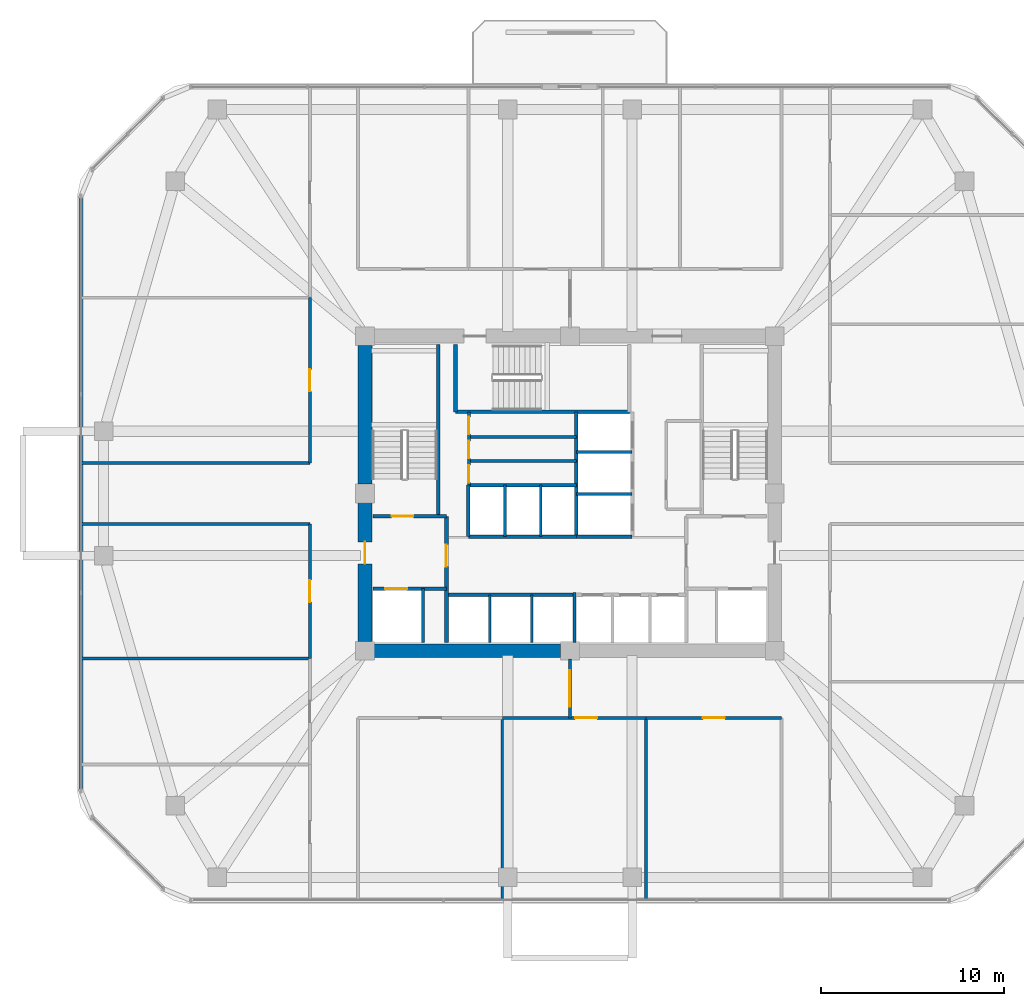
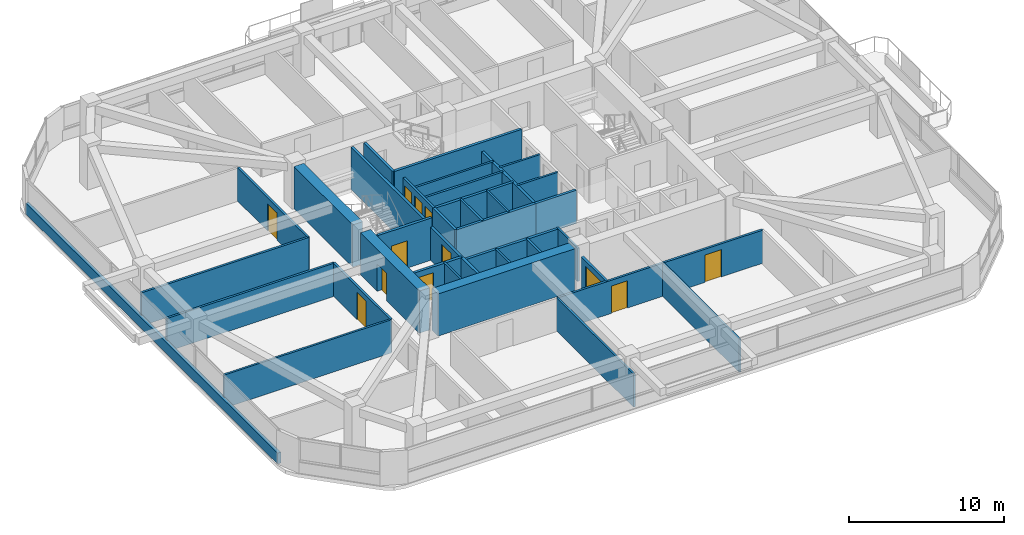
# One storey, part 9 of 14: 37 walls, 12 doors, 12 openings.
"""IFC4 building model written with IfcOpenShell, lengths in metres."""

from ifc_helpers import new_model, si_unit, derived_unit, direction, frame, frame_2d, origin, place, context, subcontext, project, spatial, rectangle, extrude, material, layer, layer_set, type_object, element, fill, save


model = new_model("IFC4")

# Units and contexts
model_context = context("Model", 3, precision=1e-05, world=origin(), true_north=direction((0.0, 1.0)))
body_context = subcontext(model_context, "Body", "Model", "MODEL_VIEW")
ifc_project = project(units=[si_unit("LENGTHUNIT", "METRE"), si_unit("AREAUNIT", "SQUARE_METRE"), si_unit("VOLUMEUNIT", "CUBIC_METRE"), si_unit("PLANEANGLEUNIT", "RADIAN"), si_unit("MASSUNIT", "GRAM", prefix="KILO"), derived_unit("THERMALTRANSMITTANCEUNIT", [(si_unit("POWERUNIT", "WATT"), 1), (si_unit("LENGTHUNIT", "METRE"), -2), (si_unit("THERMODYNAMICTEMPERATUREUNIT", "KELVIN"), -1)])], contexts=[model_context])

# Site, building, storey
site_placement = place(None, origin())
site = spatial("IfcSite", under=ifc_project, at=site_placement, CompositionType="ELEMENT")
building_placement = place(site_placement, origin())
building = spatial("IfcBuilding", under=site, at=building_placement, Name="Koralith Skygarden Medical Center", CompositionType="ELEMENT")
storey_placement = place(building_placement, frame((0.0, 0.0, 81.179931640625)))
storey = spatial("IfcBuildingStorey", under=building, at=storey_placement, Name="L20", CompositionType="ELEMENT", Elevation=81.179931640625)

# Walls
ifc_material_1 = material(Name="Gypsum Board Partition")
ifc_layer_1 = layer(ifc_material_1, 0.14990234375)
ifc_layer_set_1 = layer_set([ifc_layer_1], Name="Gypsum Board Partition")
wall_type_1 = type_object("IfcWallType", Name="Clinical Acoustic Partition 150", PredefinedType="PARTITIONING", material=ifc_layer_set_1)
wall_1_placement = place(storey_placement, frame((31.47998046875, 28.97998046875, 0.0), z_axis=(0.0, 0.0, 1.0), x_axis=(1.0, 0.0, 0.0)))
element("IfcWall", 1, at=wall_1_placement, inside=storey, type_object=wall_type_1, Name="L20 Clinical Acoustic Partition 150 W-CORE-L20-FLEX-H1B", PredefinedType="PARTITIONING", context=body_context, shape_type="SweptSolid", body=[
    extrude(rectangle(XDim=5.89013671875, YDim=0.14990234375, at=frame_2d((2.945068359375, 0.0))), origin(), (0.0, 0.0, 1.0), 2.610107421875),
])
for number, where, z_axis, x_axis, name in (
    (2, (33.301025390625, 13.639892578125, 0.0), (0.0, 0.0, 1.0), (0.0, -1.0, 0.0), "L20 Clinical Acoustic Partition 150 W-PART-L20-S-01"),
    (3, (41.162109375, 13.639892578125, 0.0), (0.0, 0.0, 1.0), (0.0, -1.0, 0.0), "L20 Clinical Acoustic Partition 150 W-PART-L20-S-02"),
):
    element("IfcWall", number, at=place(storey_placement, frame(where, z_axis=z_axis, x_axis=x_axis)), inside=storey, type_object=wall_type_1, Name=name, PredefinedType="PARTITIONING", context=body_context, shape_type="SweptSolid", body=[
        extrude(rectangle(XDim=9.93994140625, YDim=0.14990234375, at=frame_2d((4.969970703125, 0.0))), origin(), (0.0, 0.0, 1.0), 2.610107421875),
    ])
wall_2_placement = place(storey_placement, frame((22.7900390625, 16.8779296875, 0.0), z_axis=(0.0, 0.0, 1.0), x_axis=(-1.0, 0.0, 0.0)))
element("IfcWall", 4, at=wall_2_placement, inside=storey, type_object=wall_type_1, Name="L20 Clinical Acoustic Partition 150 W-PART-L20-WS-02", PredefinedType="PARTITIONING", context=body_context, shape_type="SweptSolid", body=[
    extrude(rectangle(XDim=12.489990234375, YDim=0.14990234375, at=frame_2d((6.2451171875, 0.0))), origin(), (0.0, 0.0, 1.0), 2.610107421875),
])
ifc_layer_2 = layer(ifc_material_1, 0.1650390625)
ifc_layer_set_2 = layer_set([ifc_layer_2], Name="Gypsum Board Partition")
wall_type_2 = type_object("IfcWallType", Name="Clinical Corridor Partition 165", PredefinedType="PARTITIONING", material=ifc_layer_set_2)
for number, where, z_axis, x_axis, name in (
    (5, (10.300048828125, 24.239990234375, 0.0), (0.0, 0.0, 1.0), (1.0, 0.0, 0.0), "L20 Clinical Corridor Partition 165 W-HCOR-L20-EWS-W"),
    (6, (10.300048828125, 27.56005859375, 0.0), (0.0, 0.0, 1.0), (1.0, 0.0, 0.0), "L20 Clinical Corridor Partition 165 W-HCOR-L20-EWN-W"),
):
    element("IfcWall", number, at=place(storey_placement, frame(where, z_axis=z_axis, x_axis=x_axis)), inside=storey, type_object=wall_type_2, Name=name, PredefinedType="PARTITIONING", context=body_context, shape_type="SweptSolid", body=[
        extrude(rectangle(XDim=12.489990234375, YDim=0.1650390625, at=frame_2d((6.2451171875, 0.0))), origin(), (0.0, 0.0, 1.0), 2.610107421875),
    ])

# Wall, opening, door
wall_3_placement = place(storey_placement, frame((33.301025390625, 13.639892578125, 0.0), z_axis=(0.0, 0.0, 1.0), x_axis=(1.0, 0.0, 0.0)))
wall_3 = element("IfcWall", 7, at=wall_3_placement, inside=storey, type_object=wall_type_2, Name="L20 Clinical Corridor Partition 165 W-CORR-L20-S-02", PredefinedType="PARTITIONING", context=body_context, shape_type="SweptSolid", body=[
    extrude(rectangle(XDim=7.861083984375, YDim=0.1650390625, at=frame_2d((3.9306640625, 0.0))), origin(), (0.0, 0.0, 1.0), 2.610107421875),
])
opening_1_placement = place(wall_3_placement, frame((3.98095703125, 0.0, 0.0)))
opening_1 = element("IfcOpeningElement", 8, at=opening_1_placement, cuts=wall_3, Name="Opening D-CLN", PredefinedType="OPENING", context=body_context, shape_type="SweptSolid", body=[
    extrude(rectangle(XDim=1.199951171875, YDim=2.14990234375, at=frame_2d((0.60009765625, 1.074951171875))), frame((0.0, 0.092529296875, 0.0), z_axis=(0.0, -1.0, 0.0), x_axis=(1.0, 0.0, 0.0)), (0.0, 0.0, 1.0), 0.18505859375),
])
ifc_material_2 = material(Name="Aluminium 6063-T6", Category="aluminium")
door_type_1 = type_object("IfcDoorType", Name="Clinical Corridor Door D-CLN 1200", OperationType="NOTDEFINED", PredefinedType="DOOR", material=ifc_material_2)
door_1_placement = place(opening_1_placement, frame((1.199951171875, 0.0, 0.0), z_axis=(0.0, 0.0, 1.0), x_axis=(-1.0, 0.0, 0.0)))
door_1 = element("IfcDoor", 9, at=door_1_placement, inside=storey, type_object=door_type_1, Name="L20 Physician Consultation Office 06 Door", OperationType="SINGLE_SWING_LEFT", OverallHeight=2.14990234375, OverallWidth=1.199951171875, PredefinedType="DOOR", context=body_context, shape_type="SweptSolid", body=[
    extrude(rectangle(XDim=1.199951171875, YDim=2.14990234375, at=frame_2d((0.60009765625, 1.074951171875))), frame((0.0, 0.02490234375, 0.0), z_axis=(0.0, -1.0, 0.0), x_axis=(1.0, 0.0, 0.0)), (0.0, 0.0, 1.0), 0.050048828125),
])
fill(opening_1, door_1)

wall_4_placement = place(storey_placement, frame((41.162109375, 13.639892578125, 0.0), z_axis=(0.0, 0.0, 1.0), x_axis=(1.0, 0.0, 0.0)))
wall_4 = element("IfcWall", 10, at=wall_4_placement, inside=storey, type_object=wall_type_2, Name="L20 Clinical Corridor Partition 165 W-CORR-L20-S-03", PredefinedType="PARTITIONING", context=body_context, shape_type="SweptSolid", body=[
    extrude(rectangle(XDim=7.407958984375, YDim=0.1650390625, at=frame_2d((3.7041015625, 0.0))), origin(), (0.0, 0.0, 1.0), 2.610107421875),
])
opening_2_placement = place(wall_4_placement, frame((3.10400390625, 0.0, 0.0)))
opening_2 = element("IfcOpeningElement", 11, at=opening_2_placement, cuts=wall_4, Name="Opening D-CLN", PredefinedType="OPENING", context=body_context, shape_type="SweptSolid", body=[
    extrude(rectangle(XDim=1.199951171875, YDim=2.14990234375, at=frame_2d((0.60009765625, 1.074951171875))), frame((0.0, 0.092529296875, 0.0), z_axis=(0.0, -1.0, 0.0), x_axis=(1.0, 0.0, 0.0)), (0.0, 0.0, 1.0), 0.18505859375),
])
door_2_placement = place(opening_2_placement, frame((1.199951171875, 0.0, 0.0), z_axis=(0.0, 0.0, 1.0), x_axis=(-1.0, 0.0, 0.0)))
door_2 = element("IfcDoor", 12, at=door_2_placement, inside=storey, type_object=door_type_1, Name="L20 Clinical Case Conference Room 07 Door", OperationType="SINGLE_SWING_RIGHT", OverallHeight=2.14990234375, OverallWidth=1.199951171875, PredefinedType="DOOR", context=body_context, shape_type="SweptSolid", body=[
    extrude(rectangle(XDim=1.199951171875, YDim=2.14990234375, at=frame_2d((0.60009765625, 1.074951171875))), frame((0.0, 0.02490234375, 0.0), z_axis=(0.0, -1.0, 0.0), x_axis=(1.0, 0.0, 0.0)), (0.0, 0.0, 1.0), 0.050048828125),
])
fill(opening_2, door_2)

wall_5_placement = place(storey_placement, frame((22.7900390625, 16.8779296875, 0.0), z_axis=(0.0, 0.0, 1.0), x_axis=(0.0, 1.0, 0.0)))
wall_5 = element("IfcWall", 13, at=wall_5_placement, inside=storey, type_object=wall_type_2, Name="L20 Clinical Corridor Partition 165 W-CORR-L20-WS-03", PredefinedType="PARTITIONING", context=body_context, shape_type="SweptSolid", body=[
    extrude(rectangle(XDim=7.362060546875, YDim=0.1650390625, at=frame_2d((3.68115234375, 0.0))), origin(), (0.0, 0.0, 1.0), 2.610107421875),
])
opening_3_placement = place(wall_5_placement, frame((3.0810546875, 0.0, 0.0)))
opening_3 = element("IfcOpeningElement", 14, at=opening_3_placement, cuts=wall_5, Name="Opening D-CLN", PredefinedType="OPENING", context=body_context, shape_type="SweptSolid", body=[
    extrude(rectangle(XDim=1.199951171875, YDim=2.14990234375, at=frame_2d((0.60009765625, 1.074951171875))), frame((0.0, 0.092529296875, 0.0), z_axis=(0.0, -1.0, 0.0), x_axis=(1.0, 0.0, 0.0)), (0.0, 0.0, 1.0), 0.18505859375),
])
door_3_placement = place(opening_3_placement, frame((1.199951171875, 0.0, 0.0), z_axis=(0.0, 0.0, 1.0), x_axis=(-1.0, 0.0, 0.0)))
door_3 = element("IfcDoor", 15, at=door_3_placement, inside=storey, type_object=door_type_1, Name="L20 Physician Consultation Office 10 Door", OperationType="SINGLE_SWING_LEFT", OverallHeight=2.14990234375, OverallWidth=1.199951171875, PredefinedType="DOOR", context=body_context, shape_type="SweptSolid", body=[
    extrude(rectangle(XDim=1.199951171875, YDim=2.14990234375, at=frame_2d((0.60009765625, 1.074951171875))), frame((0.0, 0.02490234375, 0.0), z_axis=(0.0, -1.0, 0.0), x_axis=(1.0, 0.0, 0.0)), (0.0, 0.0, 1.0), 0.050048828125),
])
fill(opening_3, door_3)

wall_6_placement = place(storey_placement, frame((22.7900390625, 27.56005859375, 0.0), z_axis=(0.0, 0.0, 1.0), x_axis=(0.0, 1.0, 0.0)))
wall_6 = element("IfcWall", 16, at=wall_6_placement, inside=storey, type_object=wall_type_2, Name="L20 Clinical Corridor Partition 165 W-CORR-L20-WN-01", PredefinedType="PARTITIONING", context=body_context, shape_type="SweptSolid", body=[
    extrude(rectangle(XDim=9.037841796875, YDim=0.1650390625, at=frame_2d((4.51904296875, 0.0))), origin(), (0.0, 0.0, 1.0), 2.610107421875),
])
opening_4_placement = place(wall_6_placement, frame((3.9189453125, 0.0, 0.0)))
opening_4 = element("IfcOpeningElement", 17, at=opening_4_placement, cuts=wall_6, Name="Opening D-CLN", PredefinedType="OPENING", context=body_context, shape_type="SweptSolid", body=[
    extrude(rectangle(XDim=1.199951171875, YDim=2.14990234375, at=frame_2d((0.60009765625, 1.074951171875))), frame((0.0, 0.092529296875, 0.0), z_axis=(0.0, -1.0, 0.0), x_axis=(1.0, 0.0, 0.0)), (0.0, 0.0, 1.0), 0.18505859375),
])
door_4_placement = place(opening_4_placement, frame((1.199951171875, 0.0, 0.0), z_axis=(0.0, 0.0, 1.0), x_axis=(-1.0, 0.0, 0.0)))
door_4 = element("IfcDoor", 18, at=door_4_placement, inside=storey, type_object=door_type_1, Name="L20 Clinical Case Conference Room 11 Door", OperationType="SINGLE_SWING_RIGHT", OverallHeight=2.14990234375, OverallWidth=1.199951171875, PredefinedType="DOOR", context=body_context, shape_type="SweptSolid", body=[
    extrude(rectangle(XDim=1.199951171875, YDim=2.14990234375, at=frame_2d((0.60009765625, 1.074951171875))), frame((0.0, 0.02490234375, 0.0), z_axis=(0.0, -1.0, 0.0), x_axis=(1.0, 0.0, 0.0)), (0.0, 0.0, 1.0), 0.050048828125),
])
fill(opening_4, door_4)

ifc_layer_3 = layer(ifc_material_1, 0.199951171875)
ifc_layer_set_3 = layer_set([ifc_layer_3], Name="Gypsum Board Partition")
wall_type_3 = type_object("IfcWallType", Name="Fire Shaft Wall 200", PredefinedType="SOLIDWALL", material=ifc_layer_set_3)
wall_7_placement = place(storey_placement, frame((26.25, 20.699951171875, 0.0), z_axis=(0.0, 0.0, 1.0), x_axis=(1.0, 0.0, 0.0)))
wall_7 = element("IfcWall", 19, at=wall_7_placement, inside=storey, type_object=wall_type_3, Name="L20 Fire Shaft Wall 200 W-CORE-L20-FF1-N", PredefinedType="SOLIDWALL", context=body_context, shape_type="SweptSolid", body=[
    extrude(rectangle(XDim=4.0, YDim=0.199951171875, at=frame_2d((2.0, 0.0))), origin(), (0.0, 0.0, 1.0), 2.610107421875),
])
opening_5_placement = place(wall_7_placement, frame((0.64990234375, 0.0, 0.0)))
opening_5 = element("IfcOpeningElement", 20, at=opening_5_placement, cuts=wall_7, Name="Opening LD-FF", PredefinedType="OPENING", context=body_context, shape_type="SweptSolid", body=[
    extrude(rectangle(XDim=1.199951171875, YDim=2.14990234375, at=frame_2d((0.60009765625, 1.074951171875))), frame((0.0, 0.10986328125, 0.0), z_axis=(0.0, -1.0, 0.0), x_axis=(1.0, 0.0, 0.0)), (0.0, 0.0, 1.0), 0.219970703125),
])
ifc_material_3 = material(Name="Steel ASTM A500 Grade C", Category="steel")
door_type_2 = type_object("IfcDoorType", Name="Fire Lift Sliding Landing Door LD-FF 1200", OperationType="NOTDEFINED", PredefinedType="DOOR", material=ifc_material_3)
door_5_placement = place(opening_5_placement, origin())
door_5 = element("IfcDoor", 21, at=door_5_placement, inside=storey, type_object=door_type_2, Name="L20 Fire Service Elevator FF1 Landing Door", OperationType="SLIDING_TO_LEFT", OverallHeight=2.14990234375, OverallWidth=1.199951171875, PredefinedType="DOOR", context=body_context, shape_type="SweptSolid", body=[
    extrude(rectangle(XDim=1.199951171875, YDim=2.14990234375, at=frame_2d((0.60009765625, 1.074951171875))), frame((0.0, 0.02490234375, 0.0), z_axis=(0.0, -1.0, 0.0), x_axis=(1.0, 0.0, 0.0)), (0.0, 0.0, 1.0), 0.050048828125),
])
fill(opening_5, door_5)

wall_8_placement = place(storey_placement, frame((30.25, 17.75, 0.0), z_axis=(0.0, 0.0, 1.0), x_axis=(0.0, 1.0, 0.0)))
wall_8 = element("IfcWall", 22, at=wall_8_placement, inside=storey, type_object=wall_type_3, Name="L20 Fire Shaft Wall 200 W-CORE-L20-FSAEW-E", PredefinedType="SOLIDWALL", context=body_context, shape_type="SweptSolid", body=[
    extrude(rectangle(XDim=6.89990234375, YDim=0.199951171875, at=frame_2d((3.449951171875, 0.0))), origin(), (0.0, 0.0, 1.0), 2.610107421875),
])
opening_6_placement = place(wall_8_placement, frame((4.14990234375, 0.0, 0.0)))
opening_6 = element("IfcOpeningElement", 23, at=opening_6_placement, cuts=wall_8, Name="Opening D-ST60", PredefinedType="OPENING", context=body_context, shape_type="SweptSolid", body=[
    extrude(rectangle(XDim=1.199951171875, YDim=2.14990234375, at=frame_2d((0.60009765625, 1.074951171875))), frame((0.0, 0.10986328125, 0.0), z_axis=(0.0, -1.0, 0.0), x_axis=(1.0, 0.0, 0.0)), (0.0, 0.0, 1.0), 0.219970703125),
])
door_type_3 = type_object("IfcDoorType", Name="Smokeproof Stair Fire Door FD60S 1200", OperationType="NOTDEFINED", PredefinedType="DOOR", material=ifc_material_3)
door_6_placement = place(opening_6_placement, origin())
door_6 = element("IfcDoor", 24, at=door_6_placement, inside=storey, type_object=door_type_3, Name="L20 West Firefighting Lobby Inner Fire Door", OperationType="SINGLE_SWING_LEFT", OverallHeight=2.14990234375, OverallWidth=1.199951171875, PredefinedType="DOOR", context=body_context, shape_type="SweptSolid", body=[
    extrude(rectangle(XDim=1.199951171875, YDim=2.14990234375, at=frame_2d((0.60009765625, 1.074951171875))), frame((0.0, 0.02490234375, 0.0), z_axis=(0.0, -1.0, 0.0), x_axis=(1.0, 0.0, 0.0)), (0.0, 0.0, 1.0), 0.050048828125),
])
fill(opening_6, door_6)

# Walls
wall_9_placement = place(storey_placement, frame((30.25, 20.360107421875, 0.0), z_axis=(0.0, 0.0, 1.0), x_axis=(1.0, 0.0, 0.0)))
element("IfcWall", 25, at=wall_9_placement, inside=storey, type_object=wall_type_3, Name="L20 Fire Shaft Wall 200 W-CORE-L20-PL-N", PredefinedType="SOLIDWALL", context=body_context, shape_type="SweptSolid", body=[
    extrude(rectangle(XDim=7.0, YDim=0.199951171875, at=frame_2d((3.5, 0.0))), origin(), (0.0, 0.0, 1.0), 2.610107421875),
])
for number, where, z_axis, x_axis, name in (
    (26, (31.449951171875, 23.5400390625, 0.0), (0.0, 0.0, 1.0), (1.0, 0.0, 0.0), "L20 Fire Shaft Wall 200 W-CORE-L20-PH-S"),
    (27, (31.449951171875, 26.35009765625, 0.0), (0.0, 0.0, 1.0), (1.0, 0.0, 0.0), "L20 Fire Shaft Wall 200 W-CORE-L20-PH-N"),
):
    element("IfcWall", number, at=place(storey_placement, frame(where, z_axis=z_axis, x_axis=x_axis)), inside=storey, type_object=wall_type_3, Name=name, PredefinedType="SOLIDWALL", context=body_context, shape_type="SweptSolid", body=[
        extrude(rectangle(XDim=5.900146484375, YDim=0.199951171875, at=frame_2d((2.9501953125, 0.0))), origin(), (0.0, 0.0, 1.0), 2.610107421875),
    ])
wall_10_placement = place(storey_placement, frame((31.449951171875, 23.5400390625, 0.0), z_axis=(0.0, 0.0, 1.0), x_axis=(0.0, 1.0, 0.0)))
element("IfcWall", 28, at=wall_10_placement, inside=storey, type_object=wall_type_3, Name="L20 Fire Shaft Wall 200 W-CORE-L20-PH-W", PredefinedType="SOLIDWALL", context=body_context, shape_type="SweptSolid", body=[
    extrude(rectangle(XDim=2.81005859375, YDim=0.199951171875, at=frame_2d((1.405029296875, 0.0))), origin(), (0.0, 0.0, 1.0), 2.610107421875),
])
wall_11_placement = place(storey_placement, frame((37.35009765625, 23.5400390625, 0.0), z_axis=(0.0, 0.0, 1.0), x_axis=(0.0, 1.0, 0.0)))
element("IfcWall", 29, at=wall_11_placement, inside=storey, type_object=wall_type_3, Name="L20 Fire Shaft Wall 200 W-CORE-L20-SV-W", PredefinedType="SOLIDWALL", context=body_context, shape_type="SweptSolid", body=[
    extrude(rectangle(XDim=6.820068359375, YDim=0.199951171875, at=frame_2d((3.41015625, 0.0))), origin(), (0.0, 0.0, 1.0), 2.610107421875),
])
wall_12_placement = place(storey_placement, frame((37.35009765625, 23.5400390625, 0.0), z_axis=(0.0, 0.0, 1.0), x_axis=(1.0, 0.0, 0.0)))
element("IfcWall", 30, at=wall_12_placement, inside=storey, type_object=wall_type_3, Name="L20 Fire Shaft Wall 200 W-CORE-L20-SV-S", PredefinedType="SOLIDWALL", context=body_context, shape_type="SweptSolid", body=[
    extrude(rectangle(XDim=3.0498046875, YDim=0.199951171875, at=frame_2d((1.52490234375, 0.0))), origin(), (0.0, 0.0, 1.0), 2.610107421875),
])

# Wall, opening, door
ifc_layer_4 = layer(ifc_material_1, 0.179931640625)
ifc_layer_set_4 = layer_set([ifc_layer_4], Name="Gypsum Board Partition")
wall_type_4 = type_object("IfcWallType", Name="Group I-2 Smoke Barrier Wall 180", PredefinedType="PARTITIONING", material=ifc_layer_set_4)
wall_13_placement = place(storey_placement, frame((37.0, 13.639892578125, 0.0), z_axis=(0.0, 0.0, 1.0), x_axis=(0.0, 1.0, 0.0)))
wall_13 = element("IfcWall", 31, at=wall_13_placement, inside=storey, type_object=wall_type_4, Name="L20 Group I-2 Smoke Barrier Wall 180 W-SMK-L20-S", PredefinedType="PARTITIONING", context=body_context, shape_type="SweptSolid", body=[
    extrude(rectangle(XDim=3.210205078125, YDim=0.179931640625, at=frame_2d((1.60498046875, 0.0))), origin(), (0.0, 0.0, 1.0), 2.610107421875),
])
opening_7_placement = place(wall_13_placement, frame((0.60498046875, 0.0, 0.0)))
opening_7 = element("IfcOpeningElement", 32, at=opening_7_placement, cuts=wall_13, Name="Opening D-SMK", PredefinedType="OPENING", context=body_context, shape_type="SweptSolid", body=[
    extrude(rectangle(XDim=2.0, YDim=2.199951171875, at=frame_2d((1.0, 1.10009765625))), frame((0.0, 0.099853515625, 0.0), z_axis=(0.0, -1.0, 0.0), x_axis=(1.0, 0.0, 0.0)), (0.0, 0.0, 1.0), 0.199951171875),
])
door_type_4 = type_object("IfcDoorType", Name="Cross-Corridor Double Smoke Door FD60S 2000", OperationType="NOTDEFINED", PredefinedType="DOOR", material=ifc_material_3)
door_7_placement = place(opening_7_placement, frame((2.0, 0.0, 0.0), z_axis=(0.0, 0.0, 1.0), x_axis=(-1.0, 0.0, 0.0)))
door_7 = element("IfcDoor", 33, at=door_7_placement, inside=storey, type_object=door_type_4, Name="L20 S Smoke Compartment Cross-Corridor Door", OperationType="DOUBLE_DOOR_SINGLE_SWING", OverallHeight=2.199951171875, OverallWidth=2.0, PredefinedType="DOOR", context=body_context, shape_type="SweptSolid", body=[
    extrude(rectangle(XDim=2.0, YDim=2.199951171875, at=frame_2d((1.0, 1.10009765625))), frame((0.0, 0.02490234375, 0.0), z_axis=(0.0, -1.0, 0.0), x_axis=(1.0, 0.0, 0.0)), (0.0, 0.0, 1.0), 0.050048828125),
])
fill(opening_7, door_7)

# Walls
ifc_material_4 = material(Name="Warm Oolitic Limestone Cladding", Category="masonry")
ifc_layer_5 = layer(ifc_material_4, 0.239990234375)
ifc_layer_set_5 = layer_set([ifc_layer_5], Name="Warm Oolitic Limestone Cladding")
wall_type_5 = type_object("IfcWallType", Name="Limestone Spandrel Sill Backup Wall 240", PredefinedType="SOLIDWALL", material=ifc_layer_set_5)
wall_14_placement = place(storey_placement, frame((10.280029296875, 42.14501953125, 0.0), z_axis=(0.0, 0.0, 1.0), x_axis=(0.0, -1.0, 0.0)))
element("IfcWall", 34, at=wall_14_placement, inside=storey, type_object=wall_type_5, Name="L20 Sill Spandrel W", PredefinedType="SOLIDWALL", context=body_context, shape_type="SweptSolid", body=[
    extrude(rectangle(XDim=32.489990234375, YDim=0.239990234375, at=frame_2d((16.2451171875, 0.0))), origin(), (0.0, 0.0, 1.0), 0.85009765625),
])
ifc_material_5 = material(Name="Concrete C70/85", Category="concrete")
ifc_layer_6 = layer(ifc_material_5, 0.75)
ifc_layer_set_6 = layer_set([ifc_layer_6], Name="Concrete C70/85")
wall_type_6 = type_object("IfcWallType", Name="Mid Core Shear Wall 750", PredefinedType="SHEAR", material=ifc_layer_set_6)
wall_15_placement = place(storey_placement, frame((26.304931640625, 17.300048828125, 0.0), z_axis=(0.0, 0.0, 1.0), x_axis=(1.0, 0.0, 0.0)))
element("IfcWall", 35, at=wall_15_placement, inside=storey, type_object=wall_type_6, Name="L20 Core Shear Wall Segment 1", PredefinedType="SHEAR", context=body_context, shape_type="SweptSolid", body=[
    extrude(rectangle(XDim=10.190185546875, YDim=0.75, at=frame_2d((5.09521484375, 0.0))), origin(), (0.0, 0.0, 1.0), 3.320068359375),
])
wall_16_placement = place(storey_placement, frame((25.800048828125, 33.9951171875, 0.0), z_axis=(0.0, 0.0, 1.0), x_axis=(0.0, -1.0, 0.0)))
element("IfcWall", 36, at=wall_16_placement, inside=storey, type_object=wall_type_6, Name="L20 Core Shear Wall Segment 7", PredefinedType="SHEAR", context=body_context, shape_type="SweptSolid", body=[
    extrude(rectangle(XDim=7.590087890625, YDim=0.75, at=frame_2d((3.794921875, 0.0))), origin(), (0.0, 0.0, 1.0), 3.320068359375),
])

# Wall, opening, door
wall_17_placement = place(storey_placement, frame((25.800048828125, 25.39501953125, 0.0), z_axis=(0.0, 0.0, 1.0), x_axis=(0.0, -1.0, 0.0)))
wall_17 = element("IfcWall", 37, at=wall_17_placement, inside=storey, type_object=wall_type_6, Name="L20 Core Shear Wall Segment 8", PredefinedType="SHEAR", context=body_context, shape_type="SweptSolid", body=[
    extrude(rectangle(XDim=7.590087890625, YDim=0.75, at=frame_2d((3.794921875, 0.0))), origin(), (0.0, 0.0, 1.0), 3.320068359375),
])
opening_8_placement = place(wall_17_placement, frame((2.14501953125, 0.0, 0.0)))
opening_8 = element("IfcOpeningElement", 38, at=opening_8_placement, cuts=wall_17, Name="Opening D-ST60", PredefinedType="OPENING", context=body_context, shape_type="SweptSolid", body=[
    extrude(rectangle(XDim=1.199951171875, YDim=2.14990234375, at=frame_2d((0.60009765625, 1.074951171875))), frame((0.0, 0.385009765625, 0.0), z_axis=(0.0, -1.0, 0.0), x_axis=(1.0, 0.0, 0.0)), (0.0, 0.0, 1.0), 0.77001953125),
])
door_8_placement = place(opening_8_placement, frame((1.199951171875, 0.0, 0.0), z_axis=(0.0, 0.0, 1.0), x_axis=(-1.0, 0.0, 0.0)))
door_8 = element("IfcDoor", 39, at=door_8_placement, inside=storey, type_object=door_type_3, Name="L20 West Corridor to Firefighting Lobby Door", OperationType="SINGLE_SWING_LEFT", OverallHeight=2.14990234375, OverallWidth=1.199951171875, PredefinedType="DOOR", context=body_context, shape_type="SweptSolid", body=[
    extrude(rectangle(XDim=1.199951171875, YDim=2.14990234375, at=frame_2d((0.60009765625, 1.074951171875))), frame((0.0, 0.02490234375, 0.0), z_axis=(0.0, -1.0, 0.0), x_axis=(1.0, 0.0, 0.0)), (0.0, 0.0, 1.0), 0.050048828125),
])
fill(opening_8, door_8)

# Wall, openings, doors
ifc_layer_7 = layer(ifc_material_1, 0.1650390625)
ifc_layer_set_7 = layer_set([ifc_layer_7], Name="Gypsum Board Partition")
wall_type_7 = type_object("IfcWallType", Name="Plumbing Wet Wall 165", PredefinedType="PLUMBINGWALL", material=ifc_layer_set_7)
wall_18_placement = place(storey_placement, frame((31.47998046875, 26.320068359375, 0.0), z_axis=(0.0, 0.0, 1.0), x_axis=(0.0, 1.0, 0.0)))
wall_18 = element("IfcWall", 40, at=wall_18_placement, inside=storey, type_object=wall_type_7, Name="L20 Plumbing Wet Wall 165 W-CORE-L20-FLEX-W", PredefinedType="PLUMBINGWALL", context=body_context, shape_type="SweptSolid", body=[
    extrude(rectangle(XDim=4.0400390625, YDim=0.1650390625, at=frame_2d((2.02001953125, 0.0))), origin(), (0.0, 0.0, 1.0), 2.610107421875),
])
opening_9_placement = place(wall_18_placement, frame((0.179931640625, 0.0, 0.0)))
opening_9 = element("IfcOpeningElement", 41, at=opening_9_placement, cuts=wall_18, Name="Opening D-WC", PredefinedType="OPENING", context=body_context, shape_type="SweptSolid", body=[
    extrude(rectangle(XDim=0.949951171875, YDim=2.10009765625, at=frame_2d((0.47509765625, 1.050048828125))), frame((0.0, 0.092529296875, 0.0), z_axis=(0.0, -1.0, 0.0), x_axis=(1.0, 0.0, 0.0)), (0.0, 0.0, 1.0), 0.18505859375),
])
opening_10_placement = place(wall_18_placement, frame((1.5, 0.0, 0.0)))
opening_10 = element("IfcOpeningElement", 42, at=opening_10_placement, cuts=wall_18, Name="Opening D-WC", PredefinedType="OPENING", context=body_context, shape_type="SweptSolid", body=[
    extrude(rectangle(XDim=0.949951171875, YDim=2.10009765625, at=frame_2d((0.47509765625, 1.050048828125))), frame((0.0, 0.092529296875, 0.0), z_axis=(0.0, -1.0, 0.0), x_axis=(1.0, 0.0, 0.0)), (0.0, 0.0, 1.0), 0.18505859375),
])
opening_11_placement = place(wall_18_placement, frame((2.820068359375, 0.0, 0.0)))
opening_11 = element("IfcOpeningElement", 43, at=opening_11_placement, cuts=wall_18, Name="Opening D-WC", PredefinedType="OPENING", context=body_context, shape_type="SweptSolid", body=[
    extrude(rectangle(XDim=0.949951171875, YDim=2.10009765625, at=frame_2d((0.47509765625, 1.050048828125))), frame((0.0, 0.092529296875, 0.0), z_axis=(0.0, -1.0, 0.0), x_axis=(1.0, 0.0, 0.0)), (0.0, 0.0, 1.0), 0.18505859375),
])
door_type_5 = type_object("IfcDoorType", Name="Accessible Toilet Door D-WC 950", OperationType="NOTDEFINED", PredefinedType="DOOR", material=ifc_material_2)
door_9_placement = place(opening_9_placement, frame((0.949951171875, 0.0, 0.0), z_axis=(0.0, 0.0, 1.0), x_axis=(-1.0, 0.0, 0.0)))
door_9 = element("IfcDoor", 44, at=door_9_placement, inside=storey, type_object=door_type_5, Name="L20 Core Accessible WC Door", OperationType="SINGLE_SWING_LEFT", OverallHeight=2.10009765625, OverallWidth=0.949951171875, PredefinedType="DOOR", context=body_context, shape_type="SweptSolid", body=[
    extrude(rectangle(XDim=0.949951171875, YDim=2.10009765625, at=frame_2d((0.47509765625, 1.050048828125))), frame((0.0, 0.02490234375, 0.0), z_axis=(0.0, -1.0, 0.0), x_axis=(1.0, 0.0, 0.0)), (0.0, 0.0, 1.0), 0.050048828125),
])
fill(opening_9, door_9)
door_10_placement = place(opening_10_placement, frame((0.949951171875, 0.0, 0.0), z_axis=(0.0, 0.0, 1.0), x_axis=(-1.0, 0.0, 0.0)))
door_10 = element("IfcDoor", 45, at=door_10_placement, inside=storey, type_object=door_type_5, Name="L20 Staff Pantry Door", OperationType="SINGLE_SWING_LEFT", OverallHeight=2.10009765625, OverallWidth=0.949951171875, PredefinedType="DOOR", context=body_context, shape_type="SweptSolid", body=[
    extrude(rectangle(XDim=0.949951171875, YDim=2.10009765625, at=frame_2d((0.47509765625, 1.050048828125))), frame((0.0, 0.02490234375, 0.0), z_axis=(0.0, -1.0, 0.0), x_axis=(1.0, 0.0, 0.0)), (0.0, 0.0, 1.0), 0.050048828125),
])
fill(opening_10, door_10)
door_11_placement = place(opening_11_placement, frame((0.949951171875, 0.0, 0.0), z_axis=(0.0, 0.0, 1.0), x_axis=(-1.0, 0.0, 0.0)))
door_11 = element("IfcDoor", 46, at=door_11_placement, inside=storey, type_object=door_type_5, Name="L20 IT Comms Door", OperationType="SINGLE_SWING_RIGHT", OverallHeight=2.10009765625, OverallWidth=0.949951171875, PredefinedType="DOOR", context=body_context, shape_type="SweptSolid", body=[
    extrude(rectangle(XDim=0.949951171875, YDim=2.10009765625, at=frame_2d((0.47509765625, 1.050048828125))), frame((0.0, 0.02490234375, 0.0), z_axis=(0.0, -1.0, 0.0), x_axis=(1.0, 0.0, 0.0)), (0.0, 0.0, 1.0), 0.050048828125),
])
fill(opening_11, door_11)

# Walls
wall_19_placement = place(storey_placement, frame((31.47998046875, 27.679931640625, 0.0), z_axis=(0.0, 0.0, 1.0), x_axis=(1.0, 0.0, 0.0)))
element("IfcWall", 47, at=wall_19_placement, inside=storey, type_object=wall_type_7, Name="L20 Plumbing Wet Wall 165 W-CORE-L20-FLEX-H1A", PredefinedType="PLUMBINGWALL", context=body_context, shape_type="SweptSolid", body=[
    extrude(rectangle(XDim=5.8701171875, YDim=0.1650390625, at=frame_2d((2.93505859375, 0.0))), origin(), (0.0, 0.0, 1.0), 2.610107421875),
])
ifc_layer_8 = layer(ifc_material_1, 0.14990234375)
ifc_layer_set_8 = layer_set([ifc_layer_8], Name="Gypsum Board Partition")
wall_type_8 = type_object("IfcWallType", Name="Shaft Partition Wall 150", PredefinedType="PARTITIONING", material=ifc_layer_set_8)
wall_20_placement = place(storey_placement, frame((28.969970703125, 17.75, 0.0), z_axis=(0.0, 0.0, 1.0), x_axis=(0.0, 1.0, 0.0)))
element("IfcWall", 48, at=wall_20_placement, inside=storey, type_object=wall_type_8, Name="L20 Shaft Partition Wall 150 W-CORE-L20-RSRW-DIV", PredefinedType="PARTITIONING", context=body_context, shape_type="SweptSolid", body=[
    extrude(rectangle(XDim=2.949951171875, YDim=0.14990234375, at=frame_2d((1.47509765625, 0.0))), origin(), (0.0, 0.0, 1.0), 2.610107421875),
])
for number, where, z_axis, x_axis, name in (
    (49, (32.6201171875, 17.75, 0.0), (0.0, 0.0, 1.0), (0.0, 1.0, 0.0), "L20 Shaft Partition Wall 150 W-CORE-L20-PL-D1"),
    (50, (34.919921875, 17.75, 0.0), (0.0, 0.0, 1.0), (0.0, 1.0, 0.0), "L20 Shaft Partition Wall 150 W-CORE-L20-PL-D2"),
):
    element("IfcWall", number, at=place(storey_placement, frame(where, z_axis=z_axis, x_axis=x_axis)), inside=storey, type_object=wall_type_8, Name=name, PredefinedType="PARTITIONING", context=body_context, shape_type="SweptSolid", body=[
        extrude(rectangle(XDim=2.610107421875, YDim=0.14990234375, at=frame_2d((1.30517578125, 0.0))), origin(), (0.0, 0.0, 1.0), 2.610107421875),
    ])
wall_21_placement = place(storey_placement, frame((37.25, 17.75, 0.0), z_axis=(0.0, 0.0, 1.0), x_axis=(0.0, 1.0, 0.0)))
element("IfcWall", 51, at=wall_21_placement, inside=storey, type_object=wall_type_8, Name="L20 Shaft Partition Wall 150 W-CORE-L20-PL-PM-SEP", PredefinedType="PARTITIONING", context=body_context, shape_type="SweptSolid", body=[
    extrude(rectangle(XDim=2.72998046875, YDim=0.14990234375, at=frame_2d((1.364990234375, 0.0))), origin(), (0.0, 0.0, 1.0), 2.610107421875),
])
for number, where, z_axis, x_axis, name in (
    (52, (33.449951171875, 23.5400390625, 0.0), (0.0, 0.0, 1.0), (0.0, 1.0, 0.0), "L20 Shaft Partition Wall 150 W-CORE-L20-PH-D1"),
    (53, (35.39990234375, 23.5400390625, 0.0), (0.0, 0.0, 1.0), (0.0, 1.0, 0.0), "L20 Shaft Partition Wall 150 W-CORE-L20-PH-D2"),
):
    element("IfcWall", number, at=place(storey_placement, frame(where, z_axis=z_axis, x_axis=x_axis)), inside=storey, type_object=wall_type_8, Name=name, PredefinedType="PARTITIONING", context=body_context, shape_type="SweptSolid", body=[
        extrude(rectangle(XDim=2.81005859375, YDim=0.14990234375, at=frame_2d((1.405029296875, 0.0))), origin(), (0.0, 0.0, 1.0), 2.610107421875),
    ])
for number, where, z_axis, x_axis, name in (
    (54, (37.3701171875, 25.8701171875, 0.0), (0.0, 0.0, 1.0), (1.0, 0.0, 0.0), "L20 Shaft Partition Wall 150 W-CORE-L20-SV-D1"),
    (55, (37.3701171875, 28.169921875, 0.0), (0.0, 0.0, 1.0), (1.0, 0.0, 0.0), "L20 Shaft Partition Wall 150 W-CORE-L20-SV-D2"),
):
    element("IfcWall", number, at=place(storey_placement, frame(where, z_axis=z_axis, x_axis=x_axis)), inside=storey, type_object=wall_type_8, Name=name, PredefinedType="PARTITIONING", context=body_context, shape_type="SweptSolid", body=[
        extrude(rectangle(XDim=3.009765625, YDim=0.14990234375, at=frame_2d((1.5048828125, 0.0))), origin(), (0.0, 0.0, 1.0), 2.610107421875),
    ])
ifc_material_6 = material(Name="Concrete C45/55", Category="concrete")
ifc_layer_9 = layer(ifc_material_6, 0.199951171875)
ifc_layer_set_9 = layer_set([ifc_layer_9], Name="Concrete C45/55")
wall_type_9 = type_object("IfcWallType", Name="Structural Stair Shaft Wall 200", PredefinedType="SHEAR", material=ifc_layer_set_9)
wall_22_placement = place(storey_placement, frame((29.800048828125, 24.64990234375, 0.0), z_axis=(0.0, 0.0, 1.0), x_axis=(0.0, 1.0, 0.0)))
element("IfcWall", 56, at=wall_22_placement, inside=storey, type_object=wall_type_9, Name="L20 Structural Stair Shaft Wall 200 W-CORE-L20-ST1-E", PredefinedType="SHEAR", context=body_context, shape_type="SweptSolid", body=[
    extrude(rectangle(XDim=9.400146484375, YDim=0.199951171875, at=frame_2d((4.7001953125, 0.0))), origin(), (0.0, 0.0, 1.0), 3.320068359375),
])

# Wall, opening, door
wall_23_placement = place(storey_placement, frame((26.25, 24.64990234375, 0.0), z_axis=(0.0, 0.0, 1.0), x_axis=(1.0, 0.0, 0.0)))
wall_23 = element("IfcWall", 57, at=wall_23_placement, inside=storey, type_object=wall_type_9, Name="L20 Structural Stair Shaft Wall 200 W-CORE-L20-ST1-S", PredefinedType="SHEAR", context=body_context, shape_type="SweptSolid", body=[
    extrude(rectangle(XDim=4.0, YDim=0.199951171875, at=frame_2d((2.0, 0.0))), origin(), (0.0, 0.0, 1.0), 3.320068359375),
])
opening_12_placement = place(wall_23_placement, frame((1.0, 0.0, 0.0)))
opening_12 = element("IfcOpeningElement", 58, at=opening_12_placement, cuts=wall_23, Name="Opening D-ST60", PredefinedType="OPENING", context=body_context, shape_type="SweptSolid", body=[
    extrude(rectangle(XDim=1.199951171875, YDim=2.14990234375, at=frame_2d((0.60009765625, 1.074951171875))), frame((0.0, 0.10986328125, 0.0), z_axis=(0.0, -1.0, 0.0), x_axis=(1.0, 0.0, 0.0)), (0.0, 0.0, 1.0), 0.219970703125),
])
door_12_placement = place(opening_12_placement, origin())
door_12 = element("IfcDoor", 59, at=door_12_placement, inside=storey, type_object=door_type_3, Name="L20 Exit Stair ST1 Fire Door", OperationType="SINGLE_SWING_LEFT", OverallHeight=2.14990234375, OverallWidth=1.199951171875, PredefinedType="DOOR", context=body_context, shape_type="SweptSolid", body=[
    extrude(rectangle(XDim=1.199951171875, YDim=2.14990234375, at=frame_2d((0.60009765625, 1.074951171875))), frame((0.0, 0.02490234375, 0.0), z_axis=(0.0, -1.0, 0.0), x_axis=(1.0, 0.0, 0.0)), (0.0, 0.0, 1.0), 0.050048828125),
])
fill(opening_12, door_12)

# Walls
wall_24_placement = place(storey_placement, frame((30.75, 30.360107421875, 0.0), z_axis=(0.0, 0.0, 1.0), x_axis=(1.0, 0.0, 0.0)))
element("IfcWall", 60, at=wall_24_placement, inside=storey, type_object=wall_type_9, Name="L20 Structural Stair Shaft Wall 200 W-CORE-L20-ST3-S", PredefinedType="SHEAR", context=body_context, shape_type="SweptSolid", body=[
    extrude(rectangle(XDim=9.5, YDim=0.199951171875, at=frame_2d((4.75, 0.0))), origin(), (0.0, 0.0, 1.0), 3.320068359375),
])
wall_25_placement = place(storey_placement, frame((30.75, 30.360107421875, 0.0), z_axis=(0.0, 0.0, 1.0), x_axis=(0.0, 1.0, 0.0)))
element("IfcWall", 61, at=wall_25_placement, inside=storey, type_object=wall_type_9, Name="L20 Structural Stair Shaft Wall 200 W-CORE-L20-ST3-W", PredefinedType="SHEAR", context=body_context, shape_type="SweptSolid", body=[
    extrude(rectangle(XDim=3.68994140625, YDim=0.199951171875, at=frame_2d((1.844970703125, 0.0))), origin(), (0.0, 0.0, 1.0), 3.320068359375),
])

save(model, "model.ifc")
